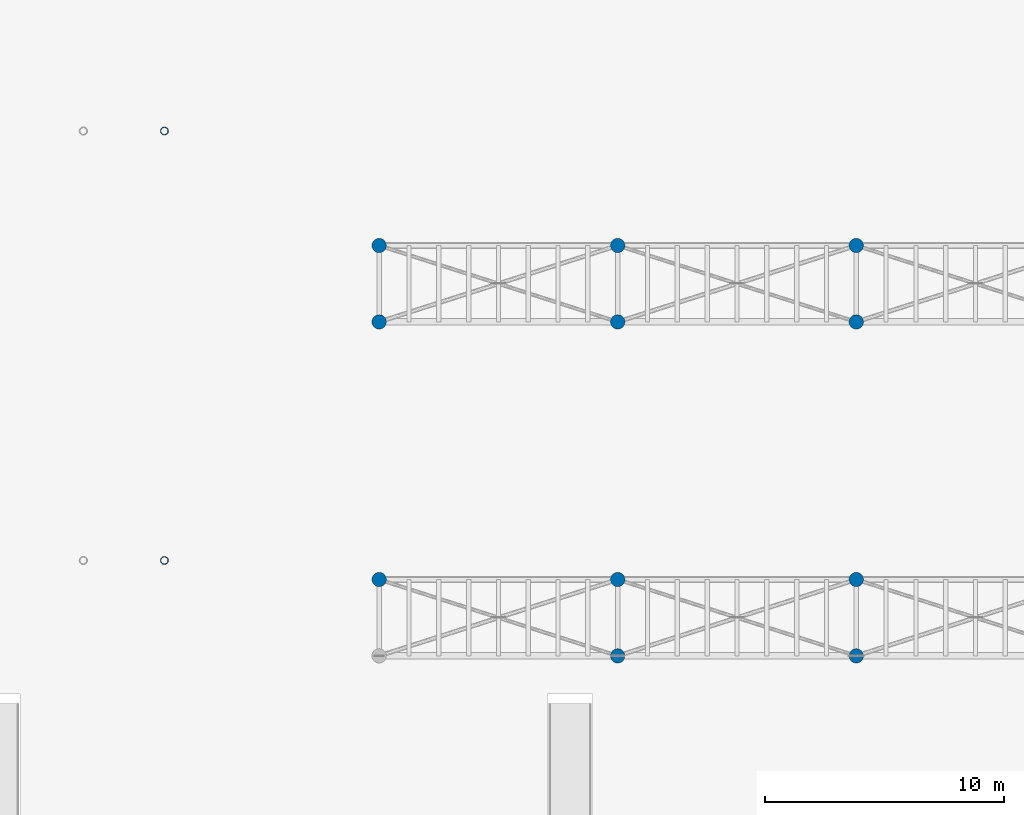
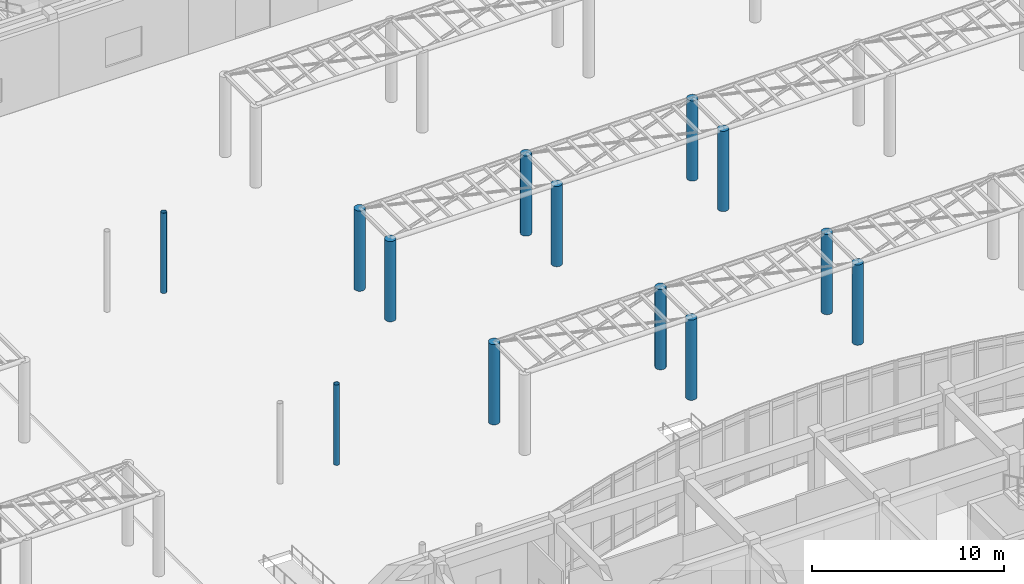
# One storey, part 9 of 121: 13 columns.
"""IFC4 building model written with IfcOpenShell, lengths in metres."""

import ifcopenshell
import ifcopenshell.guid

model = None  # the IFC model being written
_history = None  # IfcOwnerHistory: only IFC2X3 demands one
_inside = {}  # id of a spatial element -> (the spatial element, [elements in it])
_under = {}  # id of a project, library or spatial element -> (it, [spatial elements below it])
_declared = {}  # id of a project -> (the project, [libraries it declares])
_typed = {}  # id of a type object -> (the type object, [elements of that type])
_made_of = {}  # id of a material, layer set ... -> (it, [elements and type objects made of it])


def new_model(schema):
    """Start an empty IFC model of exactly this schema.

    Asked for "IFC4X3", IfcOpenShell would pick the latest addendum, in which some entities
    have other attributes; the version numbers below select the first issue.
    IFC2X3 requires an IfcOwnerHistory on every rooted entity: one is made here for all.
    """
    global model, _history
    if schema == "IFC4X3":
        model = ifcopenshell.file(schema_version=(4, 3, 0, 0))
    else:
        model = ifcopenshell.file(schema=schema)
    _inside.clear()
    _under.clear()
    _declared.clear()
    _typed.clear()
    _made_of.clear()
    _history = None
    if model.schema == "IFC2X3":
        org = make("IfcOrganization", Name="unknown")
        user = make(
            "IfcPersonAndOrganization",
            ThePerson=make("IfcPerson", FamilyName="unknown"),
            TheOrganization=org,
        )
        app = make(
            "IfcApplication",
            ApplicationDeveloper=org,
            Version="unknown",
            ApplicationFullName="unknown",
            ApplicationIdentifier="unknown",
        )
        _history = make(
            "IfcOwnerHistory",
            OwningUser=user,
            OwningApplication=app,
            ChangeAction="ADDED",
            CreationDate=0,
        )
    return model


def make(cls, **values):
    """One entity of the class cls with the attributes given. An attribute that is None is left unset."""
    return model.create_entity(
        cls, **{name: value for name, value in values.items() if value is not None}
    )


def rooted(cls, **values):
    """An entity with a GlobalId (a new one), such as an element, a storey or a relation."""
    return make(cls, GlobalId=ifcopenshell.guid.new(), OwnerHistory=_history, **values)


def si_unit(unit_type, name, prefix=None):
    """IfcSIUnit, for example si_unit("LENGTHUNIT", "METRE", prefix="MILLI")."""
    return make("IfcSIUnit", UnitType=unit_type, Prefix=prefix, Name=name)


def assignment(units):
    """IfcUnitAssignment: the units of a project."""
    return None if units is None else make("IfcUnitAssignment", Units=units)


def point(xyz):
    """IfcCartesianPoint."""
    return None if xyz is None else make("IfcCartesianPoint", Coordinates=xyz)


def direction(xyz):
    """IfcDirection."""
    return None if xyz is None else make("IfcDirection", DirectionRatios=xyz)


def frame(location, z_axis=None, x_axis=None):
    """IfcAxis2Placement3D, a coordinate frame: its origin and axes. An axis left out is left unset."""
    return make(
        "IfcAxis2Placement3D",
        Location=point(location),
        Axis=direction(z_axis),
        RefDirection=direction(x_axis),
    )


def frame_2d(location, x_axis=None):
    """IfcAxis2Placement2D, a coordinate frame in the plane: its origin and x axis."""
    return make(
        "IfcAxis2Placement2D", Location=point(location), RefDirection=direction(x_axis)
    )


def origin():
    """The frame at (0, 0, 0) with its axes left unset."""
    return frame((0.0, 0.0, 0.0))


def origin_2d():
    """The frame at (0, 0) in the plane with its x axis left unset."""
    return frame_2d((0.0, 0.0))


def place(relative_to, where):
    """IfcLocalPlacement: puts the frame where relative to a parent placement (None: the world)."""
    return make(
        "IfcLocalPlacement", PlacementRelTo=relative_to, RelativePlacement=where
    )


def context(
    kind, dimensions, precision=None, world=None, true_north=None, identifier=None
):
    """IfcGeometricRepresentationContext, for example the 3D "Model" context."""
    return make(
        "IfcGeometricRepresentationContext",
        ContextIdentifier=identifier,
        ContextType=kind,
        CoordinateSpaceDimension=dimensions,
        Precision=precision,
        WorldCoordinateSystem=world,
        TrueNorth=true_north,
    )


def subcontext(parent, identifier, kind, view, scale=None):
    """IfcGeometricRepresentationSubContext, for example "Body" below "Model"."""
    return make(
        "IfcGeometricRepresentationSubContext",
        ContextIdentifier=identifier,
        ContextType=kind,
        ParentContext=parent,
        TargetScale=scale,
        TargetView=view,
    )


def project(units=None, contexts=None):
    """IfcProject with its units and contexts."""
    return rooted(
        "IfcProject",
        Name="project",
        RepresentationContexts=contexts,
        UnitsInContext=assignment(units),
    )


def spatial(cls, under=None, at=None, **own):
    """A site, building, storey or space (cls), placed at a placement, below another one or the project."""
    s = rooted(cls, ObjectPlacement=at, **own)
    if under is not None:
        _under.setdefault(under.id(), (under, []))[1].append(s)
    return s


def profile(cls, at=None, kind="AREA", **sizes):
    """A parametric profile (cls). Its sizes go by their IFC names, for example OverallWidth=200.0."""
    return make(cls, ProfileType=kind, Position=at, **sizes)


def circle(**sizes):
    """IfcCircleProfileDef."""
    return profile("IfcCircleProfileDef", **sizes)


def hollow_circle(**sizes):
    """IfcCircleHollowProfileDef."""
    return profile("IfcCircleHollowProfileDef", **sizes)


def extrude(swept, where, along, depth):
    """IfcExtrudedAreaSolid: the profile swept, set in the frame where, extruded along a direction by depth."""
    return make(
        "IfcExtrudedAreaSolid",
        SweptArea=swept,
        Position=where,
        ExtrudedDirection=direction(along),
        Depth=depth,
    )


def shape(context_of_items, identifier, shape_type, items):
    """IfcShapeRepresentation: the items that make up one representation, for example the "Body"."""
    return make(
        "IfcShapeRepresentation",
        ContextOfItems=context_of_items,
        RepresentationIdentifier=identifier,
        RepresentationType=shape_type,
        Items=items,
    )


def material(Name=None, Category=None):
    """IfcMaterial."""
    return make("IfcMaterial", Name=Name, Category=Category)


def material_profile(
    of_material, cross_section, Name=None, Category=None, Priority=None
):
    """IfcMaterialProfile: a cross section and its material."""
    return make(
        "IfcMaterialProfile",
        Name=Name,
        Material=of_material,
        Profile=cross_section,
        Priority=Priority,
        Category=Category,
    )


def profile_set(profiles, Name=None, composite=None):
    """IfcMaterialProfileSet."""
    return make(
        "IfcMaterialProfileSet",
        Name=Name,
        MaterialProfiles=profiles,
        CompositeProfile=composite,
    )


def made_of(thing, what):
    """Note that an element or type object is made of a material, layer set ...; save() writes the relation."""
    if what is not None:
        _made_of.setdefault(what.id(), (what, []))[1].append(thing)
    return thing


def type_object(cls, material=None, **own):
    """A type object (cls), such as IfcWallType, which elements share."""
    return made_of(rooted(cls, **own), material)


def element(
    cls,
    number,
    at=None,
    inside=None,
    cuts=None,
    type_object=None,
    material=None,
    context=None,
    identifier="Body",
    shape_type=None,
    held_by="IfcProductDefinitionShape",
    body=None,
    shapes=None,
    **own,
):
    """One element of the class cls, such as IfcWall. Its Tag is "e" and its number.

    at: its placement. inside: the storey or other place that contains it. cuts: it is an
    opening in that element (IfcRelVoidsElement). A single representation is given by context,
    identifier, shape_type and body (its items); several are given by shapes. held_by: the class
    of the entity that holds the representations. save() writes the other relations.
    """
    e = rooted(cls, Tag="e%d" % number, ObjectPlacement=at, **own)
    if body is not None:
        shapes = [shape(context, identifier, shape_type, body)]
    if shapes is not None:
        e.Representation = make(held_by, Representations=shapes)
    if inside is not None:
        _inside.setdefault(inside.id(), (inside, []))[1].append(e)
    if cuts is not None:
        rooted(
            "IfcRelVoidsElement", RelatingBuildingElement=cuts, RelatedOpeningElement=e
        )
    if type_object is not None:
        _typed.setdefault(type_object.id(), (type_object, []))[1].append(e)
    return made_of(e, material)


def aggregate(whole, parts):
    """IfcRelAggregates: a whole, such as a stair, and the parts it consists of."""
    return rooted("IfcRelAggregates", RelatingObject=whole, RelatedObjects=parts)


def save(model, path):
    """Write the relations noted so far, then the file.

    IfcRelAggregates (storeys below a building ...), IfcRelContainedInSpatialStructure (elements
    in a storey), IfcRelDefinesByType, IfcRelAssociatesMaterial and IfcRelDeclares: one each for
    every whole, place, type object, material and project.
    """
    for whole, parts in _under.values():
        aggregate(whole, parts)
    for where, things in _inside.values():
        rooted(
            "IfcRelContainedInSpatialStructure",
            RelatedElements=things,
            RelatingStructure=where,
        )
    for kind, things in _typed.values():
        rooted("IfcRelDefinesByType", RelatedObjects=things, RelatingType=kind)
    for what, things in _made_of.values():
        rooted("IfcRelAssociatesMaterial", RelatedObjects=things, RelatingMaterial=what)
    for by, libraries in _declared.values():
        rooted("IfcRelDeclares", RelatingContext=by, RelatedDefinitions=libraries)
    model.write(path)


model = new_model("IFC4")

# Units and contexts
model_context = context("Model", 3, precision=1e-05, world=origin(), true_north=direction((0.0, 1.0)))
body_context = subcontext(model_context, "Body", "Model", "MODEL_VIEW")
ifc_project = project(units=[si_unit("LENGTHUNIT", "METRE"), si_unit("AREAUNIT", "SQUARE_METRE"), si_unit("VOLUMEUNIT", "CUBIC_METRE"), si_unit("PLANEANGLEUNIT", "RADIAN"), si_unit("MASSUNIT", "GRAM", prefix="KILO")], contexts=[model_context])

# Site, building, storey
site_placement = place(None, origin())
site = spatial("IfcSite", under=ifc_project, at=site_placement, CompositionType="ELEMENT")
building_placement = place(site_placement, origin())
building = spatial("IfcBuilding", under=site, at=building_placement, Name="Valcora Specialist Clinic", CompositionType="ELEMENT")
storey_placement = place(building_placement, origin())
storey = spatial("IfcBuildingStorey", under=building, at=storey_placement, Name="L00", CompositionType="ELEMENT", Elevation=0.0)

# Columns
ifc_material_1 = material(Name="Steel ASTM A500 Grade C", Category="steel")
ifc_material_profile_1 = material_profile(ifc_material_1, hollow_circle(Radius=0.162109375, WallThickness=0.011962890625, at=origin_2d()), Name="ST-CHS-324X12")
ifc_profile_set_1 = profile_set([ifc_material_profile_1], Name="Steel ASTM A500 Grade C")
column_type_1 = type_object("IfcColumnType", Name="TY-COL-CHS324", PredefinedType="COLUMN", material=ifc_profile_set_1)
for number, where, z_axis, x_axis, name in (
    (1, (65.0, 38.0, 0.0), (0.0, 0.0, 1.0), (1.0, 0.0, 0.0), "Column COL-L00-0990"),
    (2, (65.0, 56.0, 0.0), (0.0, 0.0, 1.0), (1.0, 0.0, 0.0), "Column COL-L00-0996"),
):
    element("IfcColumn", number, at=place(storey_placement, frame(where, z_axis=z_axis, x_axis=x_axis)), inside=storey, type_object=column_type_1, Name=name, PredefinedType="COLUMN", context=body_context, shape_type="SweptSolid", body=[
        extrude(hollow_circle(Radius=0.162109375, WallThickness=0.011962890625, at=origin_2d()), origin(), (0.0, 0.0, 1.0), 5.10009765625),
    ])
ifc_material_2 = material(Name="Concrete C40/50", Category="concrete")
ifc_material_profile_2 = material_profile(ifc_material_2, circle(Radius=0.300048828125, at=origin_2d()), Name="RC-COL-D600")
ifc_profile_set_2 = profile_set([ifc_material_profile_2], Name="Concrete C40/50")
column_type_2 = type_object("IfcColumnType", Name="TY-COL-RCD600", PredefinedType="COLUMN", material=ifc_profile_set_2)
for number, where, z_axis, x_axis, name in (
    (3, (74.0, 37.199951171875, 0.0), (0.0, 0.0, 1.0), (1.0, 0.0, 0.0), "Column COL-L00-1117"),
    (4, (74.0, 48.0, 0.0), (0.0, 0.0, 1.0), (1.0, 0.0, 0.0), "Column COL-L00-1119"),
    (5, (74.0, 51.199951171875, 0.0), (0.0, 0.0, 1.0), (1.0, 0.0, 0.0), "Column COL-L00-1121"),
    (6, (84.0, 34.0, 0.0), (0.0, 0.0, 1.0), (1.0, 0.0, 0.0), "Column COL-L00-1127"),
    (7, (84.0, 37.199951171875, 0.0), (0.0, 0.0, 1.0), (1.0, 0.0, 0.0), "Column COL-L00-1129"),
    (8, (84.0, 48.0, 0.0), (0.0, 0.0, 1.0), (1.0, 0.0, 0.0), "Column COL-L00-1131"),
    (9, (84.0, 51.199951171875, 0.0), (0.0, 0.0, 1.0), (1.0, 0.0, 0.0), "Column COL-L00-1133"),
    (10, (94.0, 34.0, 0.0), (0.0, 0.0, 1.0), (1.0, 0.0, 0.0), "Column COL-L00-1139"),
    (11, (94.0, 37.199951171875, 0.0), (0.0, 0.0, 1.0), (1.0, 0.0, 0.0), "Column COL-L00-1141"),
    (12, (94.0, 48.0, 0.0), (0.0, 0.0, 1.0), (1.0, 0.0, 0.0), "Column COL-L00-1143"),
    (13, (94.0, 51.199951171875, 0.0), (0.0, 0.0, 1.0), (1.0, 0.0, 0.0), "Column COL-L00-1145"),
):
    element("IfcColumn", number, at=place(storey_placement, frame(where, z_axis=z_axis, x_axis=x_axis)), inside=storey, type_object=column_type_2, Name=name, PredefinedType="COLUMN", context=body_context, shape_type="SweptSolid", body=[
        extrude(circle(Radius=0.300048828125, at=origin_2d()), origin(), (0.0, 0.0, 1.0), 5.10009765625),
    ])

save(model, "model.ifc")
